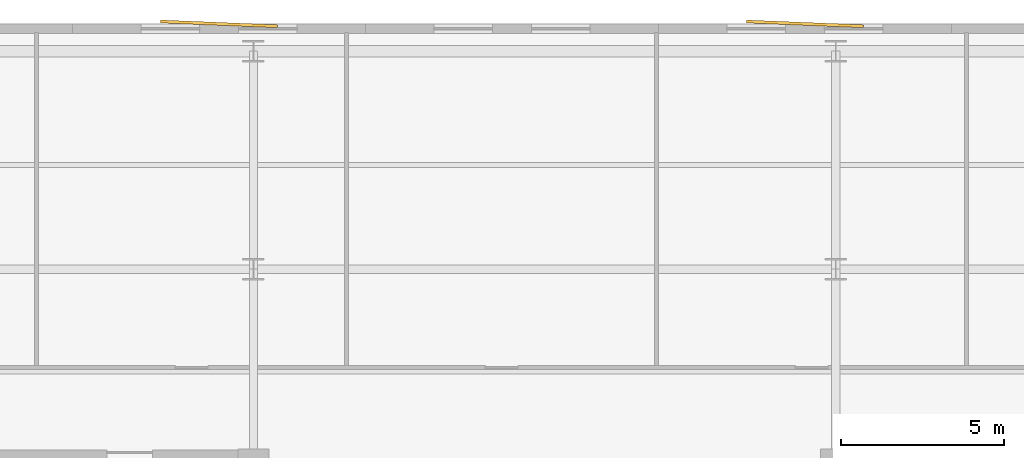
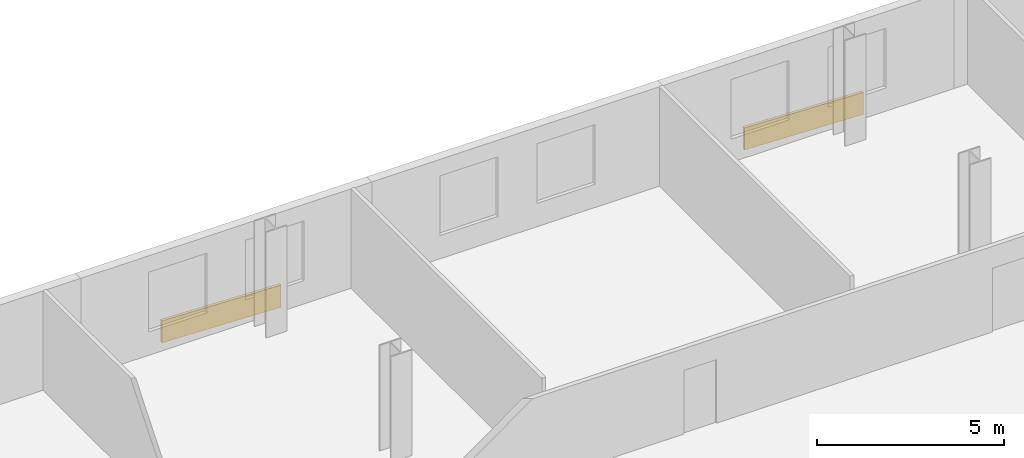
# One storey, part 12 of 12: 2 coverings.
"""IFC4 building model written with IfcOpenShell, lengths in metres."""

from ifc_helpers import new_model, si_unit, direction, frame, origin, origin_2d, place, context, subcontext, project, spatial, rectangle, extrude, material, layer, layer_set, type_object, element, save


model = new_model("IFC4")

# Units and contexts
model_context = context("Model", 3, precision=1e-05, world=origin(), true_north=direction((0.0, 1.0)))
body_context = subcontext(model_context, "Body", "Model", "MODEL_VIEW")
ifc_project = project(units=[si_unit("LENGTHUNIT", "METRE"), si_unit("AREAUNIT", "SQUARE_METRE"), si_unit("VOLUMEUNIT", "CUBIC_METRE"), si_unit("PLANEANGLEUNIT", "RADIAN"), si_unit("MASSUNIT", "GRAM", prefix="KILO")], contexts=[model_context])

# Site, building, storey
site_placement = place(None, origin())
site = spatial("IfcSite", under=ifc_project, at=site_placement, CompositionType="ELEMENT")
building_placement = place(site_placement, origin())
building = spatial("IfcBuilding", under=site, at=building_placement, Name="Velakula Bourse", CompositionType="ELEMENT")
storey_placement = place(building_placement, frame((0.0, 0.0, 148.449951171875)))
storey = spatial("IfcBuildingStorey", under=building, at=storey_placement, Name="L40", CompositionType="ELEMENT", Elevation=148.449951171875)

# Coverings
ifc_material = material(Name="Red kilned clay facing brick masonry", Category="masonry")
ifc_layer = layer(ifc_material, 0.090087890625, Name="Red kilned clay facing brick masonry", Category="masonry")
ifc_layer_set = layer_set([ifc_layer], Name="Red kilned clay facing brick masonry")
covering_type = type_object("IfcCoveringType", Name="COV-BRK-FOLD-90", PredefinedType="CLADDING", material=ifc_layer_set)
for number, where, z_axis, x_axis, name in (
    (1, (-10.0, 22.139892578125, 0.0), (0.0, 0.0, 1.0), (0.999158993058, -0.041003738744, 0.0), "L40 Folded Brick Facade Cladding Panel N-B2"),
    (2, (8.0, 22.139892578125, 0.0), (0.0, 0.0, 1.0), (0.999158993058, -0.041003738744, 0.0), "L40 Folded Brick Facade Cladding Panel N-B4"),
):
    element("IfcCovering", number, at=place(storey_placement, frame(where, z_axis=z_axis, x_axis=x_axis)), inside=storey, type_object=covering_type, Name=name, PredefinedType="CLADDING", context=body_context, shape_type="SweptSolid", body=[
        extrude(rectangle(XDim=3.60009765625, YDim=0.090087890625, at=origin_2d()), origin(), (0.0, 0.0, 1.0), 0.719970703125),
    ])

save(model, "model.ifc")
